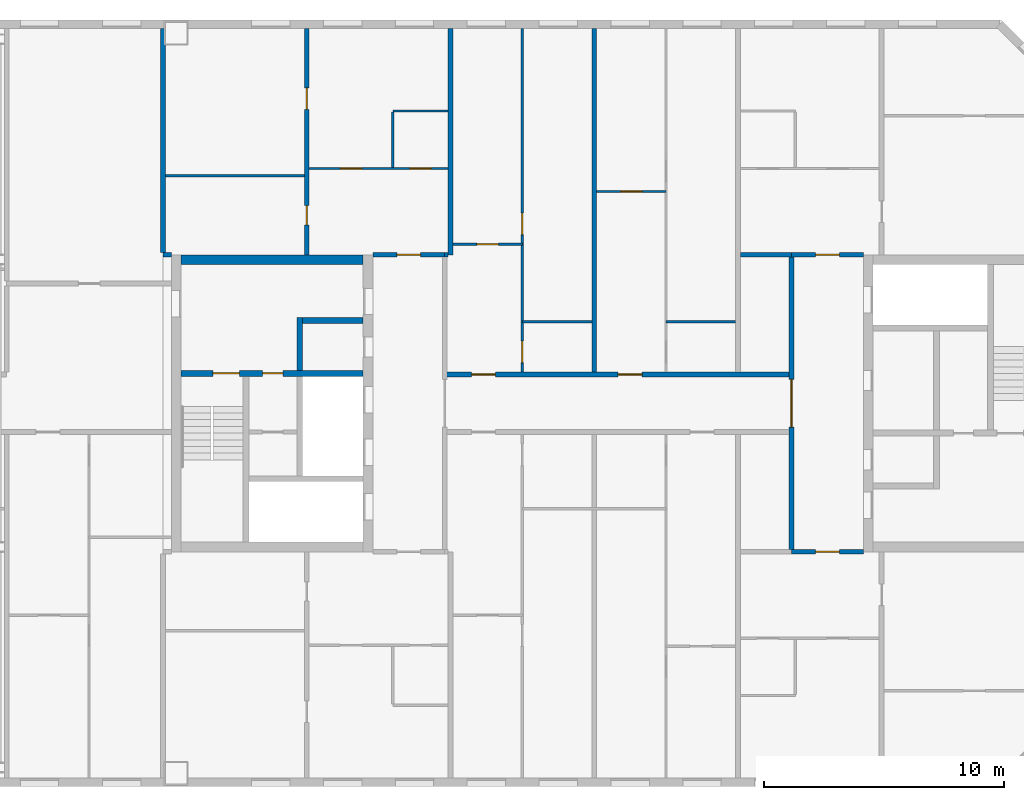
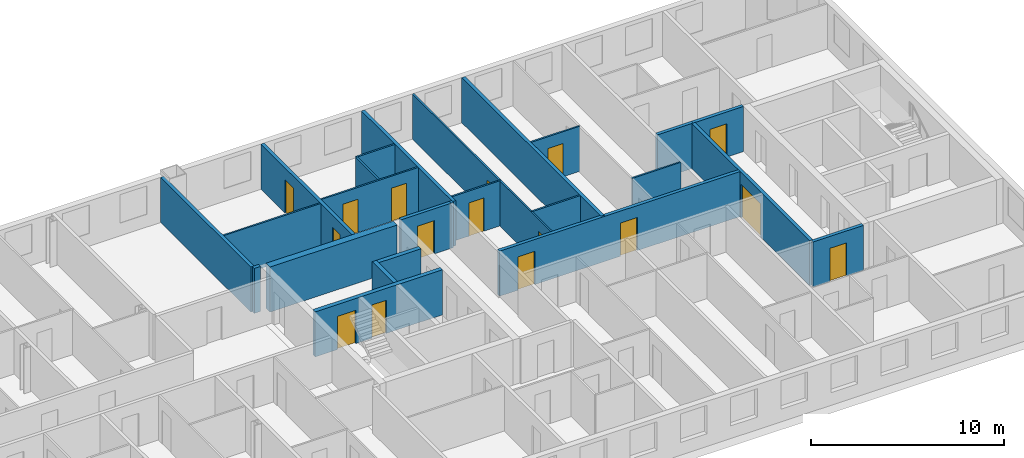
# One storey, part 15 of 19: 25 walls, 16 doors, 16 openings.
"""IFC4 building model written with IfcOpenShell, lengths in metres."""

from ifc_helpers import new_model, si_unit, direction, frame, frame_2d, origin, place, context, subcontext, project, spatial, rectangle, extrude, material, layer, layer_set, type_object, element, fill, save


model = new_model("IFC4")

# Units and contexts
model_context = context("Model", 3, precision=1e-05, world=origin(), true_north=direction((0.0, 1.0)))
body_context = subcontext(model_context, "Body", "Model", "MODEL_VIEW")
ifc_project = project(units=[si_unit("LENGTHUNIT", "METRE"), si_unit("AREAUNIT", "SQUARE_METRE"), si_unit("VOLUMEUNIT", "CUBIC_METRE"), si_unit("PLANEANGLEUNIT", "RADIAN"), si_unit("MASSUNIT", "GRAM", prefix="KILO")], contexts=[model_context])

# Site, building, storey
site_placement = place(None, origin())
site = spatial("IfcSite", under=ifc_project, at=site_placement, CompositionType="ELEMENT")
building_placement = place(site_placement, origin())
building = spatial("IfcBuilding", under=site, at=building_placement, Name="Tuart Gate Housing", CompositionType="ELEMENT")
storey_placement = place(building_placement, frame((0.0, 0.0, 202.800048828125)))
storey = spatial("IfcBuildingStorey", under=building, at=storey_placement, Name="L57", CompositionType="ELEMENT", Elevation=202.800048828125)

# Wall, openings, doors
ifc_material_1 = material(Name="Concrete C40", Category="concrete")
ifc_layer_1 = layer(ifc_material_1, 0.25)
ifc_layer_set_1 = layer_set([ifc_layer_1], Name="Core wall 250 C40")
wall_type_1 = type_object("IfcWallType", Name="Core wall 250 C40", PredefinedType="SHEAR", material=ifc_layer_set_1)
wall_1_placement = place(storey_placement, frame((139.360107421875, 71.25, 0.0), z_axis=(0.0, 0.0, 1.0), x_axis=(-1.0, 0.0, 0.0)))
wall_1 = element("IfcWall", 1, at=wall_1_placement, inside=storey, type_object=wall_type_1, Name="Core wall BG.3", PredefinedType="SHEAR", context=body_context, shape_type="SweptSolid", body=[
    extrude(rectangle(XDim=7.60009765625, YDim=0.25, at=frame_2d((3.800048828125, 0.0))), origin(), (0.0, 0.0, 1.0), 2.849853515625),
])
opening_1_placement = place(wall_1_placement, frame((5.175048828125, 0.0, 0.0)))
opening_1 = element("IfcOpeningElement", 2, at=opening_1_placement, cuts=wall_1, Name="Opening D2077", PredefinedType="OPENING", context=body_context, shape_type="SweptSolid", body=[
    extrude(rectangle(XDim=1.10009765625, YDim=2.10009765625, at=frame_2d((0.550048828125, 1.050048828125))), frame((0.0, 0.135009765625, 0.0), z_axis=(0.0, -1.0, 0.0), x_axis=(1.0, 0.0, 0.0)), (0.0, 0.0, 1.0), 0.27001953125),
])
opening_2_placement = place(wall_1_placement, frame((3.35009765625, 0.0, 0.0)))
opening_2 = element("IfcOpeningElement", 3, at=opening_2_placement, cuts=wall_1, Name="Opening D2076", PredefinedType="OPENING", context=body_context, shape_type="SweptSolid", body=[
    extrude(rectangle(XDim=0.85009765625, YDim=2.10009765625, at=frame_2d((0.425048828125, 1.050048828125))), frame((0.0, 0.135009765625, 0.0), z_axis=(0.0, -1.0, 0.0), x_axis=(1.0, 0.0, 0.0)), (0.0, 0.0, 1.0), 0.27001953125),
])
ifc_material_2 = material(Name="Steel fire door", Category="steel")
door_type_1 = type_object("IfcDoorType", Name="Riser door 850 x 2100", OperationType="SINGLE_SWING_LEFT", PredefinedType="DOOR", material=ifc_material_2)
door_1_placement = place(opening_2_placement, origin())
door_1 = element("IfcDoor", 4, at=door_1_placement, inside=storey, type_object=door_type_1, Name="Service room door BG.W1", OperationType="SINGLE_SWING_LEFT", OverallHeight=2.10009765625, OverallWidth=0.85009765625, PredefinedType="DOOR", context=body_context, shape_type="SweptSolid", body=[
    extrude(rectangle(XDim=0.85009765625, YDim=2.10009765625, at=frame_2d((0.425048828125, 1.050048828125))), frame((0.0, 0.02490234375, 0.0), z_axis=(0.0, -1.0, 0.0), x_axis=(1.0, 0.0, 0.0)), (0.0, 0.0, 1.0), 0.050048828125),
])
fill(opening_2, door_1)
ifc_material_3 = material(Name="Steel fire door", Category="steel")
door_type_2 = type_object("IfcDoorType", Name="Stair door 1100 x 2100", OperationType="SINGLE_SWING_LEFT", PredefinedType="DOOR", material=ifc_material_3)
door_2_placement = place(opening_1_placement, origin())
door_2 = element("IfcDoor", 5, at=door_2_placement, inside=storey, type_object=door_type_2, Name="Stair door BG.SD", OperationType="SINGLE_SWING_LEFT", OverallHeight=2.10009765625, OverallWidth=1.10009765625, PredefinedType="DOOR", context=body_context, shape_type="SweptSolid", body=[
    extrude(rectangle(XDim=1.10009765625, YDim=2.10009765625, at=frame_2d((0.550048828125, 1.050048828125))), frame((0.0, 0.02490234375, 0.0), z_axis=(0.0, -1.0, 0.0), x_axis=(1.0, 0.0, 0.0)), (0.0, 0.0, 1.0), 0.050048828125),
])
fill(opening_1, door_2)

# Walls
wall_2_placement = place(storey_placement, frame((139.360107421875, 73.449951171875, 0.0), z_axis=(0.0, 0.0, 1.0), x_axis=(-1.0, 0.0, 0.0)))
element("IfcWall", 6, at=wall_2_placement, inside=storey, type_object=wall_type_1, Name="Core wall BG.4", PredefinedType="SHEAR", context=body_context, shape_type="SweptSolid", body=[
    extrude(rectangle(XDim=2.525146484375, YDim=0.25, at=frame_2d((1.2626953125, 0.0))), origin(), (0.0, 0.0, 1.0), 2.849853515625),
])
wall_3_placement = place(storey_placement, frame((136.7099609375, 71.375, 0.0), z_axis=(0.0, 0.0, 1.0), x_axis=(0.0, 1.0, 0.0)))
element("IfcWall", 7, at=wall_3_placement, inside=storey, type_object=wall_type_1, Name="Core wall BG.6", PredefinedType="SHEAR", context=body_context, shape_type="SweptSolid", body=[
    extrude(rectangle(XDim=2.199951171875, YDim=0.25, at=frame_2d((1.10009765625, 0.0))), origin(), (0.0, 0.0, 1.0), 2.849853515625),
])
ifc_material_4 = material(Name="Concrete C40", Category="concrete")
ifc_layer_2 = layer(ifc_material_4, 0.39990234375)
ifc_layer_set_2 = layer_set([ifc_layer_2], Name="Core wall 400 C40")
wall_type_2 = type_object("IfcWallType", Name="Core wall 400 C40", PredefinedType="SHEAR", material=ifc_layer_set_2)
wall_4_placement = place(storey_placement, frame((139.360107421875, 76.0, 0.0), z_axis=(0.0, 0.0, 1.0), x_axis=(-1.0, 0.0, 0.0)))
element("IfcWall", 8, at=wall_4_placement, inside=storey, type_object=wall_type_2, Name="Core wall BG north", PredefinedType="SHEAR", context=body_context, shape_type="SweptSolid", body=[
    extrude(rectangle(XDim=7.60009765625, YDim=0.39990234375, at=frame_2d((3.800048828125, 0.0))), origin(), (0.0, 0.0, 1.0), 2.849853515625),
])

# Wall, openings, doors
ifc_material_5 = material(Name="Concrete masonry 15 MPa", Category="masonry")
ifc_layer_3 = layer(ifc_material_5, 0.199951171875)
ifc_layer_set_3 = layer_set([ifc_layer_3], Name="Corridor wall masonry 200")
wall_type_3 = type_object("IfcWallType", Name="Corridor wall masonry 200", PredefinedType="PARTITIONING", material=ifc_layer_set_3)
wall_5_placement = place(storey_placement, frame((142.760009765625, 71.199951171875, 0.0), z_axis=(0.0, 0.0, 1.0), x_axis=(1.0, 0.0, 0.0)))
wall_5 = element("IfcWall", 9, at=wall_5_placement, inside=storey, type_object=wall_type_3, Name="Corridor wall masonry 200", PredefinedType="PARTITIONING", context=body_context, shape_type="SweptSolid", body=[
    extrude(rectangle(XDim=14.47998046875, YDim=0.199951171875, at=frame_2d((7.239990234375, 0.0))), origin(), (0.0, 0.0, 1.0), 2.849853515625),
])
opening_3_placement = place(wall_5_placement, frame((1.1201171875, 0.0, 0.0)))
opening_3 = element("IfcOpeningElement", 10, at=opening_3_placement, cuts=wall_5, Name="Opening D2078", PredefinedType="OPENING", context=body_context, shape_type="SweptSolid", body=[
    extrude(rectangle(XDim=1.0, YDim=2.10009765625, at=frame_2d((0.5, 1.050048828125))), frame((0.0, 0.10986328125, 0.0), z_axis=(0.0, -1.0, 0.0), x_axis=(1.0, 0.0, 0.0)), (0.0, 0.0, 1.0), 0.219970703125),
])
opening_4_placement = place(wall_5_placement, frame((7.239990234375, 0.0, 0.0)))
opening_4 = element("IfcOpeningElement", 11, at=opening_4_placement, cuts=wall_5, Name="Opening D2079", PredefinedType="OPENING", context=body_context, shape_type="SweptSolid", body=[
    extrude(rectangle(XDim=1.0, YDim=2.10009765625, at=frame_2d((0.5, 1.050048828125))), frame((0.0, 0.10986328125, 0.0), z_axis=(0.0, -1.0, 0.0), x_axis=(1.0, 0.0, 0.0)), (0.0, 0.0, 1.0), 0.219970703125),
])
ifc_material_6 = material(Name="Timber door leaf in steel frame", Category="steel")
door_type_3 = type_object("IfcDoorType", Name="Flat entrance door 1000", OperationType="SINGLE_SWING_LEFT", PredefinedType="DOOR", material=ifc_material_6)
door_3_placement = place(opening_3_placement, origin())
door_3 = element("IfcDoor", 12, at=door_3_placement, inside=storey, type_object=door_type_3, Name="Flat entrance door", OperationType="SINGLE_SWING_LEFT", OverallHeight=2.10009765625, OverallWidth=1.0, PredefinedType="DOOR", context=body_context, shape_type="SweptSolid", body=[
    extrude(rectangle(XDim=1.0, YDim=2.10009765625, at=frame_2d((0.5, 1.050048828125))), frame((0.0, 0.02490234375, 0.0), z_axis=(0.0, -1.0, 0.0), x_axis=(1.0, 0.0, 0.0)), (0.0, 0.0, 1.0), 0.050048828125),
])
fill(opening_3, door_3)
door_4_placement = place(opening_4_placement, origin())
door_4 = element("IfcDoor", 13, at=door_4_placement, inside=storey, type_object=door_type_3, Name="Flat entrance door", OperationType="SINGLE_SWING_LEFT", OverallHeight=2.10009765625, OverallWidth=1.0, PredefinedType="DOOR", context=body_context, shape_type="SweptSolid", body=[
    extrude(rectangle(XDim=1.0, YDim=2.10009765625, at=frame_2d((0.5, 1.050048828125))), frame((0.0, 0.02490234375, 0.0), z_axis=(0.0, -1.0, 0.0), x_axis=(1.0, 0.0, 0.0)), (0.0, 0.0, 1.0), 0.050048828125),
])
fill(opening_4, door_4)

# Wall, opening, door
ifc_material_7 = material(Name="Concrete masonry 15 MPa", Category="masonry")
ifc_layer_4 = layer(ifc_material_7, 0.199951171875)
ifc_layer_set_4 = layer_set([ifc_layer_4], Name="Enclosure wall masonry 200")
wall_type_4 = type_object("IfcWallType", Name="Enclosure wall masonry 200", PredefinedType="PARTITIONING", material=ifc_layer_set_4)
wall_6_placement = place(storey_placement, frame((157.239990234375, 63.800048828125, 0.0), z_axis=(0.0, 0.0, 1.0), x_axis=(1.0, 0.0, 0.0)))
wall_6 = element("IfcWall", 14, at=wall_6_placement, inside=storey, type_object=wall_type_4, Name="Enclosure wall masonry 200", PredefinedType="PARTITIONING", context=body_context, shape_type="SweptSolid", body=[
    extrude(rectangle(XDim=3.0, YDim=0.199951171875, at=frame_2d((1.5, 0.0))), origin(), (0.0, 0.0, 1.0), 2.849853515625),
])
opening_5_placement = place(wall_6_placement, frame((1.0, 0.0, 0.0)))
opening_5 = element("IfcOpeningElement", 15, at=opening_5_placement, cuts=wall_6, Name="Opening D2094", PredefinedType="OPENING", context=body_context, shape_type="SweptSolid", body=[
    extrude(rectangle(XDim=1.0, YDim=2.10009765625, at=frame_2d((0.5, 1.050048828125))), frame((0.0, 0.10986328125, 0.0), z_axis=(0.0, -1.0, 0.0), x_axis=(1.0, 0.0, 0.0)), (0.0, 0.0, 1.0), 0.219970703125),
])
door_5_placement = place(opening_5_placement, frame((1.0, 0.0, 0.0), z_axis=(0.0, 0.0, 1.0), x_axis=(-1.0, 0.0, 0.0)))
door_5 = element("IfcDoor", 16, at=door_5_placement, inside=storey, type_object=door_type_3, Name="Flat entrance door", OperationType="SINGLE_SWING_LEFT", OverallHeight=2.10009765625, OverallWidth=1.0, PredefinedType="DOOR", context=body_context, shape_type="SweptSolid", body=[
    extrude(rectangle(XDim=1.0, YDim=2.10009765625, at=frame_2d((0.5, 1.050048828125))), frame((0.0, 0.025146484375, 0.0), z_axis=(0.0, -1.0, 0.0), x_axis=(1.0, 0.0, 0.0)), (0.0, 0.0, 1.0), 0.050048828125),
])
fill(opening_5, door_5)

wall_7_placement = place(storey_placement, frame((139.760009765625, 76.199951171875, 0.0), z_axis=(0.0, 0.0, 1.0), x_axis=(1.0, 0.0, 0.0)))
wall_7 = element("IfcWall", 17, at=wall_7_placement, inside=storey, type_object=wall_type_4, Name="Enclosure wall masonry 200", PredefinedType="PARTITIONING", context=body_context, shape_type="SweptSolid", body=[
    extrude(rectangle(XDim=3.0, YDim=0.199951171875, at=frame_2d((1.5, 0.0))), origin(), (0.0, 0.0, 1.0), 2.849853515625),
])
opening_6_placement = place(wall_7_placement, frame((1.0, 0.0, 0.0)))
opening_6 = element("IfcOpeningElement", 18, at=opening_6_placement, cuts=wall_7, Name="Opening D2074", PredefinedType="OPENING", context=body_context, shape_type="SweptSolid", body=[
    extrude(rectangle(XDim=1.0, YDim=2.10009765625, at=frame_2d((0.5, 1.050048828125))), frame((0.0, 0.10986328125, 0.0), z_axis=(0.0, -1.0, 0.0), x_axis=(1.0, 0.0, 0.0)), (0.0, 0.0, 1.0), 0.219970703125),
])
ifc_material_8 = material(Name="Timber door leaf in steel frame", Category="steel")
door_type_4 = type_object("IfcDoorType", Name="Flat entrance door 1000 RH", OperationType="SINGLE_SWING_RIGHT", PredefinedType="DOOR", material=ifc_material_8)
door_6_placement = place(opening_6_placement, origin())
door_6 = element("IfcDoor", 19, at=door_6_placement, inside=storey, type_object=door_type_4, Name="Flat entrance door", OperationType="SINGLE_SWING_RIGHT", OverallHeight=2.10009765625, OverallWidth=1.0, PredefinedType="DOOR", context=body_context, shape_type="SweptSolid", body=[
    extrude(rectangle(XDim=1.0, YDim=2.10009765625, at=frame_2d((0.5, 1.050048828125))), frame((0.0, 0.02490234375, 0.0), z_axis=(0.0, -1.0, 0.0), x_axis=(1.0, 0.0, 0.0)), (0.0, 0.0, 1.0), 0.050048828125),
])
fill(opening_6, door_6)

wall_8_placement = place(storey_placement, frame((157.239990234375, 76.199951171875, 0.0), z_axis=(0.0, 0.0, 1.0), x_axis=(1.0, 0.0, 0.0)))
wall_8 = element("IfcWall", 20, at=wall_8_placement, inside=storey, type_object=wall_type_4, Name="Enclosure wall masonry 200", PredefinedType="PARTITIONING", context=body_context, shape_type="SweptSolid", body=[
    extrude(rectangle(XDim=3.0, YDim=0.199951171875, at=frame_2d((1.5, 0.0))), origin(), (0.0, 0.0, 1.0), 2.849853515625),
])
opening_7_placement = place(wall_8_placement, frame((1.0, 0.0, 0.0)))
opening_7 = element("IfcOpeningElement", 21, at=opening_7_placement, cuts=wall_8, Name="Opening D2075", PredefinedType="OPENING", context=body_context, shape_type="SweptSolid", body=[
    extrude(rectangle(XDim=1.0, YDim=2.10009765625, at=frame_2d((0.5, 1.050048828125))), frame((0.0, 0.10986328125, 0.0), z_axis=(0.0, -1.0, 0.0), x_axis=(1.0, 0.0, 0.0)), (0.0, 0.0, 1.0), 0.219970703125),
])
door_7_placement = place(opening_7_placement, origin())
door_7 = element("IfcDoor", 22, at=door_7_placement, inside=storey, type_object=door_type_4, Name="Flat entrance door", OperationType="SINGLE_SWING_RIGHT", OverallHeight=2.10009765625, OverallWidth=1.0, PredefinedType="DOOR", context=body_context, shape_type="SweptSolid", body=[
    extrude(rectangle(XDim=1.0, YDim=2.10009765625, at=frame_2d((0.5, 1.050048828125))), frame((0.0, 0.02490234375, 0.0), z_axis=(0.0, -1.0, 0.0), x_axis=(1.0, 0.0, 0.0)), (0.0, 0.0, 1.0), 0.050048828125),
])
fill(opening_7, door_7)

ifc_material_9 = material(Name="Plasterboard partition")
ifc_layer_5 = layer(ifc_material_9, 0.199951171875)
ifc_layer_set_5 = layer_set([ifc_layer_5], Name="Lobby wall 200")
wall_type_5 = type_object("IfcWallType", Name="Lobby wall 200", PredefinedType="PARTITIONING", material=ifc_layer_set_5)
wall_9_placement = place(storey_placement, frame((157.239990234375, 63.89990234375, 0.0), z_axis=(0.0, 0.0, 1.0), x_axis=(0.0, 1.0, 0.0)))
wall_9 = element("IfcWall", 23, at=wall_9_placement, inside=storey, type_object=wall_type_5, Name="Lift lobby wall BK", PredefinedType="PARTITIONING", context=body_context, shape_type="SweptSolid", body=[
    extrude(rectangle(XDim=12.2001953125, YDim=0.199951171875, at=frame_2d((6.10009765625, 0.0))), origin(), (0.0, 0.0, 1.0), 2.849853515625),
])
opening_8_placement = place(wall_9_placement, frame((5.10009765625, 0.0, 0.0)))
opening_8 = element("IfcOpeningElement", 24, at=opening_8_placement, cuts=wall_9, Name="Opening D2084", PredefinedType="OPENING", context=body_context, shape_type="SweptSolid", body=[
    extrude(rectangle(XDim=2.0, YDim=2.10009765625, at=frame_2d((1.0, 1.050048828125))), frame((0.0, 0.10986328125, 0.0), z_axis=(0.0, -1.0, 0.0), x_axis=(1.0, 0.0, 0.0)), (0.0, 0.0, 1.0), 0.219970703125),
])
ifc_material_10 = material(Name="Steel fire door", Category="steel")
door_type_5 = type_object("IfcDoorType", Name="Smoke door 2000 x 2100", OperationType="DOUBLE_DOOR_SINGLE_SWING", PredefinedType="DOOR", material=ifc_material_10)
door_8_placement = place(opening_8_placement, frame((2.0, 0.0, 0.0), z_axis=(0.0, 0.0, 1.0), x_axis=(-1.0, 0.0, 0.0)))
door_8 = element("IfcDoor", 25, at=door_8_placement, inside=storey, type_object=door_type_5, Name="Lift lobby smoke door BK", OperationType="DOUBLE_DOOR_SINGLE_SWING", OverallHeight=2.10009765625, OverallWidth=2.0, PredefinedType="DOOR", context=body_context, shape_type="SweptSolid", body=[
    extrude(rectangle(XDim=2.0, YDim=2.10009765625, at=frame_2d((1.0, 1.050048828125))), frame((0.0, 0.025146484375, 0.0), z_axis=(0.0, -1.0, 0.0), x_axis=(1.0, 0.0, 0.0)), (0.0, 0.0, 1.0), 0.050048828125),
])
fill(opening_8, door_8)

# Walls
ifc_material_11 = material(Name="Gypsum board on steel studs", Category="steel")
ifc_layer_6 = layer(ifc_material_11, 0.10009765625)
ifc_layer_set_6 = layer_set([ifc_layer_6], Name="Partition 100")
wall_type_6 = type_object("IfcWallType", Name="Partition 100", PredefinedType="PARTITIONING", material=ifc_layer_set_6)
for number, where, z_axis, x_axis, name in (
    (26, (146.0, 73.39990234375, 0.0), (0.0, 0.0, 1.0), (1.0, 0.0, 0.0), "Partition 100"),
    (27, (152.0, 73.39990234375, 0.0), (0.0, 0.0, 1.0), (1.0, 0.0, 0.0), "Partition 100"),
):
    element("IfcWall", number, at=place(storey_placement, frame(where, z_axis=z_axis, x_axis=x_axis)), inside=storey, type_object=wall_type_6, Name=name, PredefinedType="PARTITIONING", context=body_context, shape_type="SweptSolid", body=[
        extrude(rectangle(XDim=2.89990234375, YDim=0.10009765625, at=frame_2d((1.449951171875, 0.0))), origin(), (0.0, 0.0, 1.0), 2.849853515625),
    ])

# Wall, opening, door
wall_10_placement = place(storey_placement, frame((143.10009765625, 76.639892578125, 0.0), z_axis=(0.0, 0.0, 1.0), x_axis=(1.0, 0.0, 0.0)))
wall_10 = element("IfcWall", 28, at=wall_10_placement, inside=storey, type_object=wall_type_6, Name="Partition 100", PredefinedType="PARTITIONING", context=body_context, shape_type="SweptSolid", body=[
    extrude(rectangle(XDim=2.89990234375, YDim=0.10009765625, at=frame_2d((1.449951171875, 0.0))), origin(), (0.0, 0.0, 1.0), 2.849853515625),
])
opening_9_placement = place(wall_10_placement, frame((1.0, 0.0, 0.0)))
opening_9 = element("IfcOpeningElement", 29, at=opening_9_placement, cuts=wall_10, Name="Opening D2073", PredefinedType="OPENING", context=body_context, shape_type="SweptSolid", body=[
    extrude(rectangle(XDim=0.89990234375, YDim=2.10009765625, at=frame_2d((0.449951171875, 1.050048828125))), frame((0.0, 0.06005859375, 0.0), z_axis=(0.0, -1.0, 0.0), x_axis=(1.0, 0.0, 0.0)), (0.0, 0.0, 1.0), 0.1201171875),
])
ifc_material_12 = material(Name="Timber door leaf in steel frame", Category="steel")
door_type_6 = type_object("IfcDoorType", Name="Internal door 900", OperationType="SINGLE_SWING_LEFT", PredefinedType="DOOR", material=ifc_material_12)
door_9_placement = place(opening_9_placement, frame((0.89990234375, 0.0, 0.0), z_axis=(0.0, 0.0, 1.0), x_axis=(-1.0, 0.0, 0.0)))
door_9 = element("IfcDoor", 30, at=door_9_placement, inside=storey, type_object=door_type_6, Name="Internal door", OperationType="SINGLE_SWING_LEFT", OverallHeight=2.10009765625, OverallWidth=0.89990234375, PredefinedType="DOOR", context=body_context, shape_type="SweptSolid", body=[
    extrude(rectangle(XDim=0.89990234375, YDim=2.10009765625, at=frame_2d((0.449951171875, 1.050048828125))), frame((0.0, 0.025146484375, 0.0), z_axis=(0.0, -1.0, 0.0), x_axis=(1.0, 0.0, 0.0)), (0.0, 0.0, 1.0), 0.050048828125),
])
fill(opening_9, door_9)

wall_11_placement = place(storey_placement, frame((149.10009765625, 78.840087890625, 0.0), z_axis=(0.0, 0.0, 1.0), x_axis=(1.0, 0.0, 0.0)))
wall_11 = element("IfcWall", 31, at=wall_11_placement, inside=storey, type_object=wall_type_6, Name="Partition 100", PredefinedType="PARTITIONING", context=body_context, shape_type="SweptSolid", body=[
    extrude(rectangle(XDim=2.89990234375, YDim=0.10009765625, at=frame_2d((1.449951171875, 0.0))), origin(), (0.0, 0.0, 1.0), 2.849853515625),
])
opening_10_placement = place(wall_11_placement, frame((1.0, 0.0, 0.0)))
opening_10 = element("IfcOpeningElement", 32, at=opening_10_placement, cuts=wall_11, Name="Opening D2068", PredefinedType="OPENING", context=body_context, shape_type="SweptSolid", body=[
    extrude(rectangle(XDim=0.89990234375, YDim=2.10009765625, at=frame_2d((0.449951171875, 1.050048828125))), frame((0.0, 0.06005859375, 0.0), z_axis=(0.0, -1.0, 0.0), x_axis=(1.0, 0.0, 0.0)), (0.0, 0.0, 1.0), 0.1201171875),
])
door_10_placement = place(opening_10_placement, frame((0.89990234375, 0.0, 0.0), z_axis=(0.0, 0.0, 1.0), x_axis=(-1.0, 0.0, 0.0)))
door_10 = element("IfcDoor", 33, at=door_10_placement, inside=storey, type_object=door_type_6, Name="Internal door", OperationType="SINGLE_SWING_LEFT", OverallHeight=2.10009765625, OverallWidth=0.89990234375, PredefinedType="DOOR", context=body_context, shape_type="SweptSolid", body=[
    extrude(rectangle(XDim=0.89990234375, YDim=2.10009765625, at=frame_2d((0.449951171875, 1.050048828125))), frame((0.0, 0.025146484375, 0.0), z_axis=(0.0, -1.0, 0.0), x_axis=(1.0, 0.0, 0.0)), (0.0, 0.0, 1.0), 0.050048828125),
])
fill(opening_10, door_10)

# Wall
wall_12_placement = place(storey_placement, frame((131.10009765625, 79.5, 0.0), z_axis=(0.0, 0.0, 1.0), x_axis=(1.0, 0.0, 0.0)))
element("IfcWall", 34, at=wall_12_placement, inside=storey, type_object=wall_type_6, Name="Partition 100", PredefinedType="PARTITIONING", context=body_context, shape_type="SweptSolid", body=[
    extrude(rectangle(XDim=5.7998046875, YDim=0.10009765625, at=frame_2d((2.89990234375, 0.0))), origin(), (0.0, 0.0, 1.0), 2.849853515625),
])

# Wall, openings, doors
wall_13_placement = place(storey_placement, frame((137.10009765625, 79.800048828125, 0.0), z_axis=(0.0, 0.0, 1.0), x_axis=(1.0, 0.0, 0.0)))
wall_13 = element("IfcWall", 35, at=wall_13_placement, inside=storey, type_object=wall_type_6, Name="Partition 100", PredefinedType="PARTITIONING", context=body_context, shape_type="SweptSolid", body=[
    extrude(rectangle(XDim=5.7998046875, YDim=0.10009765625, at=frame_2d((2.89990234375, 0.0))), origin(), (0.0, 0.0, 1.0), 2.849853515625),
])
opening_11_placement = place(wall_13_placement, frame((1.300048828125, 0.0, 0.0)))
opening_11 = element("IfcOpeningElement", 36, at=opening_11_placement, cuts=wall_13, Name="Opening D2065", PredefinedType="OPENING", context=body_context, shape_type="SweptSolid", body=[
    extrude(rectangle(XDim=0.89990234375, YDim=2.10009765625, at=frame_2d((0.449951171875, 1.050048828125))), frame((0.0, 0.06005859375, 0.0), z_axis=(0.0, -1.0, 0.0), x_axis=(1.0, 0.0, 0.0)), (0.0, 0.0, 1.0), 0.1201171875),
])
opening_12_placement = place(wall_13_placement, frame((4.199951171875, 0.0, 0.0)))
opening_12 = element("IfcOpeningElement", 37, at=opening_12_placement, cuts=wall_13, Name="Opening D2064", PredefinedType="OPENING", context=body_context, shape_type="SweptSolid", body=[
    extrude(rectangle(XDim=0.89990234375, YDim=2.10009765625, at=frame_2d((0.449951171875, 1.050048828125))), frame((0.0, 0.06005859375, 0.0), z_axis=(0.0, -1.0, 0.0), x_axis=(1.0, 0.0, 0.0)), (0.0, 0.0, 1.0), 0.1201171875),
])
ifc_material_13 = material(Name="Timber door leaf in steel frame", Category="steel")
door_type_7 = type_object("IfcDoorType", Name="Bathroom door 900", OperationType="SINGLE_SWING_LEFT", PredefinedType="DOOR", material=ifc_material_13)
door_11_placement = place(opening_12_placement, origin())
door_11 = element("IfcDoor", 38, at=door_11_placement, inside=storey, type_object=door_type_7, Name="Bathroom door", OperationType="SINGLE_SWING_LEFT", OverallHeight=2.10009765625, OverallWidth=0.89990234375, PredefinedType="DOOR", context=body_context, shape_type="SweptSolid", body=[
    extrude(rectangle(XDim=0.89990234375, YDim=2.10009765625, at=frame_2d((0.449951171875, 1.050048828125))), frame((0.0, 0.02490234375, 0.0), z_axis=(0.0, -1.0, 0.0), x_axis=(1.0, 0.0, 0.0)), (0.0, 0.0, 1.0), 0.050048828125),
])
fill(opening_12, door_11)
ifc_material_14 = material(Name="Timber door leaf in steel frame", Category="steel")
door_type_8 = type_object("IfcDoorType", Name="Internal door 900 RH", OperationType="SINGLE_SWING_RIGHT", PredefinedType="DOOR", material=ifc_material_14)
door_12_placement = place(opening_11_placement, frame((0.89990234375, 0.0, 0.0), z_axis=(0.0, 0.0, 1.0), x_axis=(-1.0, 0.0, 0.0)))
door_12 = element("IfcDoor", 39, at=door_12_placement, inside=storey, type_object=door_type_8, Name="Internal door", OperationType="SINGLE_SWING_RIGHT", OverallHeight=2.10009765625, OverallWidth=0.89990234375, PredefinedType="DOOR", context=body_context, shape_type="SweptSolid", body=[
    extrude(rectangle(XDim=0.89990234375, YDim=2.10009765625, at=frame_2d((0.449951171875, 1.050048828125))), frame((0.0, 0.025146484375, 0.0), z_axis=(0.0, -1.0, 0.0), x_axis=(1.0, 0.0, 0.0)), (0.0, 0.0, 1.0), 0.050048828125),
])
fill(opening_11, door_12)

# Walls
for number, where, z_axis, x_axis, name in (
    (40, (140.60009765625, 82.199951171875, 0.0), (0.0, 0.0, 1.0), (1.0, 0.0, 0.0), "Partition 100"),
    (41, (140.60009765625, 79.85009765625, 0.0), (0.0, 0.0, 1.0), (0.0, 1.0, 0.0), "Partition 100"),
):
    element("IfcWall", number, at=place(storey_placement, frame(where, z_axis=z_axis, x_axis=x_axis)), inside=storey, type_object=wall_type_6, Name=name, PredefinedType="PARTITIONING", context=body_context, shape_type="SweptSolid", body=[
        extrude(rectangle(XDim=2.2998046875, YDim=0.10009765625, at=frame_2d((1.14990234375, 0.0))), origin(), (0.0, 0.0, 1.0), 2.849853515625),
    ])

# Wall, openings, doors
wall_14_placement = place(storey_placement, frame((146.0, 71.300048828125, 0.0), z_axis=(0.0, 0.0, 1.0), x_axis=(0.0, 1.0, 0.0)))
wall_14 = element("IfcWall", 42, at=wall_14_placement, inside=storey, type_object=wall_type_6, Name="Partition 100", PredefinedType="PARTITIONING", context=body_context, shape_type="SweptSolid", body=[
    extrude(rectangle(XDim=14.33984375, YDim=0.10009765625, at=frame_2d((7.169921875, 0.0))), origin(), (0.0, 0.0, 1.0), 2.849853515625),
])
opening_13_placement = place(wall_14_placement, frame((5.739990234375, 0.0, 0.0)))
opening_13 = element("IfcOpeningElement", 43, at=opening_13_placement, cuts=wall_14, Name="Opening D2070", PredefinedType="OPENING", context=body_context, shape_type="SweptSolid", body=[
    extrude(rectangle(XDim=0.89990234375, YDim=2.10009765625, at=frame_2d((0.449951171875, 1.050048828125))), frame((0.0, 0.06005859375, 0.0), z_axis=(0.0, -1.0, 0.0), x_axis=(1.0, 0.0, 0.0)), (0.0, 0.0, 1.0), 0.1201171875),
])
opening_14_placement = place(wall_14_placement, frame((0.39990234375, 0.0, 0.0)))
opening_14 = element("IfcOpeningElement", 44, at=opening_14_placement, cuts=wall_14, Name="Opening D2069", PredefinedType="OPENING", context=body_context, shape_type="SweptSolid", body=[
    extrude(rectangle(XDim=0.89990234375, YDim=2.10009765625, at=frame_2d((0.449951171875, 1.050048828125))), frame((0.0, 0.06005859375, 0.0), z_axis=(0.0, -1.0, 0.0), x_axis=(1.0, 0.0, 0.0)), (0.0, 0.0, 1.0), 0.1201171875),
])
ifc_material_15 = material(Name="Timber door leaf in steel frame", Category="steel")
door_type_9 = type_object("IfcDoorType", Name="Bathroom door 900 RH", OperationType="SINGLE_SWING_RIGHT", PredefinedType="DOOR", material=ifc_material_15)
door_13_placement = place(opening_14_placement, frame((0.89990234375, 0.0, 0.0), z_axis=(0.0, 0.0, 1.0), x_axis=(-1.0, 0.0, 0.0)))
door_13 = element("IfcDoor", 45, at=door_13_placement, inside=storey, type_object=door_type_9, Name="Bathroom door", OperationType="SINGLE_SWING_RIGHT", OverallHeight=2.10009765625, OverallWidth=0.89990234375, PredefinedType="DOOR", context=body_context, shape_type="SweptSolid", body=[
    extrude(rectangle(XDim=0.89990234375, YDim=2.10009765625, at=frame_2d((0.449951171875, 1.050048828125))), frame((0.0, 0.025146484375, 0.0), z_axis=(0.0, -1.0, 0.0), x_axis=(1.0, 0.0, 0.0)), (0.0, 0.0, 1.0), 0.050048828125),
])
fill(opening_14, door_13)
door_14_placement = place(opening_13_placement, frame((0.89990234375, 0.0, 0.0), z_axis=(0.0, 0.0, 1.0), x_axis=(-1.0, 0.0, 0.0)))
door_14 = element("IfcDoor", 46, at=door_14_placement, inside=storey, type_object=door_type_8, Name="Internal door", OperationType="SINGLE_SWING_RIGHT", OverallHeight=2.10009765625, OverallWidth=0.89990234375, PredefinedType="DOOR", context=body_context, shape_type="SweptSolid", body=[
    extrude(rectangle(XDim=0.89990234375, YDim=2.10009765625, at=frame_2d((0.449951171875, 1.050048828125))), frame((0.0, 0.025146484375, 0.0), z_axis=(0.0, -1.0, 0.0), x_axis=(1.0, 0.0, 0.0)), (0.0, 0.0, 1.0), 0.050048828125),
])
fill(opening_13, door_14)

ifc_material_16 = material(Name="Concrete C40", Category="concrete")
ifc_layer_7 = layer(ifc_material_16, 0.199951171875)
ifc_layer_set_7 = layer_set([ifc_layer_7], Name="Party wall concrete C40 200")
wall_type_7 = type_object("IfcWallType", Name="Party wall concrete C40 200", PredefinedType="SOLIDWALL", material=ifc_layer_set_7)
wall_15_placement = place(storey_placement, frame((137.0, 76.199951171875, 0.0), z_axis=(0.0, 0.0, 1.0), x_axis=(0.0, 1.0, 0.0)))
wall_15 = element("IfcWall", 47, at=wall_15_placement, inside=storey, type_object=wall_type_7, Name="Party wall concrete C40 200", PredefinedType="SOLIDWALL", context=body_context, shape_type="SweptSolid", body=[
    extrude(rectangle(XDim=9.43994140625, YDim=0.199951171875, at=frame_2d((4.719970703125, 0.0))), origin(), (0.0, 0.0, 1.0), 2.849853515625),
])
opening_15_placement = place(wall_15_placement, frame((6.070068359375, 0.0, 0.0)))
opening_15 = element("IfcOpeningElement", 48, at=opening_15_placement, cuts=wall_15, Name="Opening D2061", PredefinedType="OPENING", context=body_context, shape_type="SweptSolid", body=[
    extrude(rectangle(XDim=0.89990234375, YDim=2.10009765625, at=frame_2d((0.449951171875, 1.050048828125))), frame((0.0, 0.10986328125, 0.0), z_axis=(0.0, -1.0, 0.0), x_axis=(1.0, 0.0, 0.0)), (0.0, 0.0, 1.0), 0.219970703125),
])
opening_16_placement = place(wall_15_placement, frame((1.25, 0.0, 0.0)))
opening_16 = element("IfcOpeningElement", 49, at=opening_16_placement, cuts=wall_15, Name="Opening D2062", PredefinedType="OPENING", context=body_context, shape_type="SweptSolid", body=[
    extrude(rectangle(XDim=0.800048828125, YDim=2.10009765625, at=frame_2d((0.39990234375, 1.050048828125))), frame((0.0, 0.10986328125, 0.0), z_axis=(0.0, -1.0, 0.0), x_axis=(1.0, 0.0, 0.0)), (0.0, 0.0, 1.0), 0.219970703125),
])
door_15_placement = place(opening_15_placement, origin())
door_15 = element("IfcDoor", 50, at=door_15_placement, inside=storey, type_object=door_type_8, Name="Internal door", OperationType="SINGLE_SWING_RIGHT", OverallHeight=2.10009765625, OverallWidth=0.89990234375, PredefinedType="DOOR", context=body_context, shape_type="SweptSolid", body=[
    extrude(rectangle(XDim=0.89990234375, YDim=2.10009765625, at=frame_2d((0.449951171875, 1.050048828125))), frame((0.0, 0.02490234375, 0.0), z_axis=(0.0, -1.0, 0.0), x_axis=(1.0, 0.0, 0.0)), (0.0, 0.0, 1.0), 0.050048828125),
])
fill(opening_15, door_15)
ifc_material_17 = material(Name="Timber door leaf in steel frame", Category="steel")
door_type_10 = type_object("IfcDoorType", Name="Store door 800", OperationType="SINGLE_SWING_LEFT", PredefinedType="DOOR", material=ifc_material_17)
door_16_placement = place(opening_16_placement, origin())
door_16 = element("IfcDoor", 51, at=door_16_placement, inside=storey, type_object=door_type_10, Name="Store door", OperationType="SINGLE_SWING_LEFT", OverallHeight=2.10009765625, OverallWidth=0.800048828125, PredefinedType="DOOR", context=body_context, shape_type="SweptSolid", body=[
    extrude(rectangle(XDim=0.800048828125, YDim=2.10009765625, at=frame_2d((0.39990234375, 1.050048828125))), frame((0.0, 0.02490234375, 0.0), z_axis=(0.0, -1.0, 0.0), x_axis=(1.0, 0.0, 0.0)), (0.0, 0.0, 1.0), 0.050048828125),
])
fill(opening_16, door_16)

# Walls
wall_16_placement = place(storey_placement, frame((143.0, 76.199951171875, 0.0), z_axis=(0.0, 0.0, 1.0), x_axis=(0.0, 1.0, 0.0)))
element("IfcWall", 52, at=wall_16_placement, inside=storey, type_object=wall_type_7, Name="Party wall concrete C40 200", PredefinedType="SOLIDWALL", context=body_context, shape_type="SweptSolid", body=[
    extrude(rectangle(XDim=9.43994140625, YDim=0.199951171875, at=frame_2d((4.719970703125, 0.0))), origin(), (0.0, 0.0, 1.0), 2.849853515625),
])
wall_17_placement = place(storey_placement, frame((149.0, 71.199951171875, 0.0), z_axis=(0.0, 0.0, 1.0), x_axis=(0.0, 1.0, 0.0)))
element("IfcWall", 53, at=wall_17_placement, inside=storey, type_object=wall_type_7, Name="Party wall concrete C40 200", PredefinedType="SOLIDWALL", context=body_context, shape_type="SweptSolid", body=[
    extrude(rectangle(XDim=14.43994140625, YDim=0.199951171875, at=frame_2d((7.219970703125, 0.0))), origin(), (0.0, 0.0, 1.0), 2.849853515625),
])
ifc_material_18 = material(Name="Concrete masonry 15 MPa", Category="masonry")
ifc_layer_8 = layer(ifc_material_18, 0.199951171875)
ifc_layer_set_8 = layer_set([ifc_layer_8], Name="Party wall masonry 200")
wall_type_8 = type_object("IfcWallType", Name="Party wall masonry 200", PredefinedType="PARTITIONING", material=ifc_layer_set_8)
wall_18_placement = place(storey_placement, frame((131.0, 76.199951171875, 0.0), z_axis=(0.0, 0.0, 1.0), x_axis=(1.0, 0.0, 0.0)))
element("IfcWall", 54, at=wall_18_placement, inside=storey, type_object=wall_type_8, Name="Party wall masonry 200", PredefinedType="PARTITIONING", context=body_context, shape_type="SweptSolid", body=[
    extrude(rectangle(XDim=0.360107421875, YDim=0.199951171875, at=frame_2d((0.18017578125, 0.0))), origin(), (0.0, 0.0, 1.0), 2.849853515625),
])
wall_19_placement = place(storey_placement, frame((142.760009765625, 76.199951171875, 0.0), z_axis=(0.0, 0.0, 1.0), x_axis=(1.0, 0.0, 0.0)))
element("IfcWall", 55, at=wall_19_placement, inside=storey, type_object=wall_type_8, Name="Party wall masonry 200", PredefinedType="PARTITIONING", context=body_context, shape_type="SweptSolid", body=[
    extrude(rectangle(XDim=0.139892578125, YDim=0.199951171875, at=frame_2d((0.06982421875, 0.0))), origin(), (0.0, 0.0, 1.0), 2.849853515625),
])
wall_20_placement = place(storey_placement, frame((155.10009765625, 76.199951171875, 0.0), z_axis=(0.0, 0.0, 1.0), x_axis=(1.0, 0.0, 0.0)))
element("IfcWall", 56, at=wall_20_placement, inside=storey, type_object=wall_type_8, Name="Party wall masonry 200", PredefinedType="PARTITIONING", context=body_context, shape_type="SweptSolid", body=[
    extrude(rectangle(XDim=2.139892578125, YDim=0.199951171875, at=frame_2d((1.06982421875, 0.0))), origin(), (0.0, 0.0, 1.0), 2.849853515625),
])
wall_21_placement = place(storey_placement, frame((131.0, 76.300048828125, 0.0), z_axis=(0.0, 0.0, 1.0), x_axis=(0.0, 1.0, 0.0)))
element("IfcWall", 57, at=wall_21_placement, inside=storey, type_object=wall_type_8, Name="Party wall masonry 200", PredefinedType="PARTITIONING", context=body_context, shape_type="SweptSolid", body=[
    extrude(rectangle(XDim=9.33984375, YDim=0.199951171875, at=frame_2d((4.669921875, 0.0))), origin(), (0.0, 0.0, 1.0), 2.849853515625),
])

save(model, "model.ifc")
